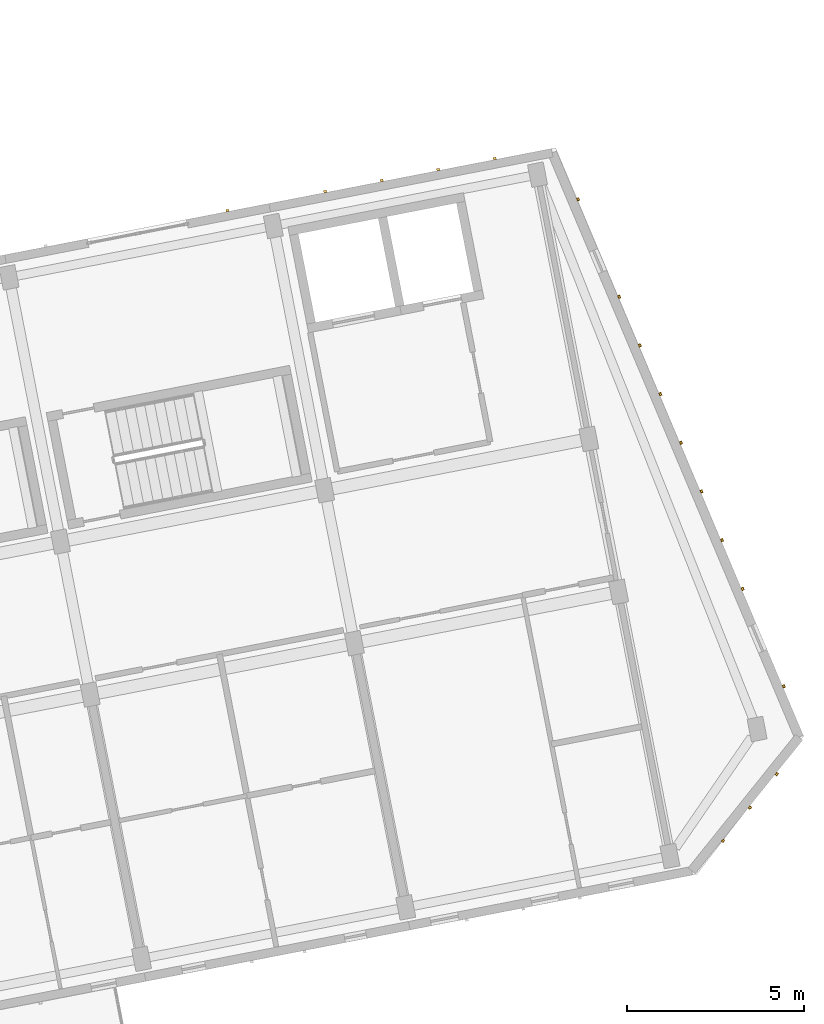
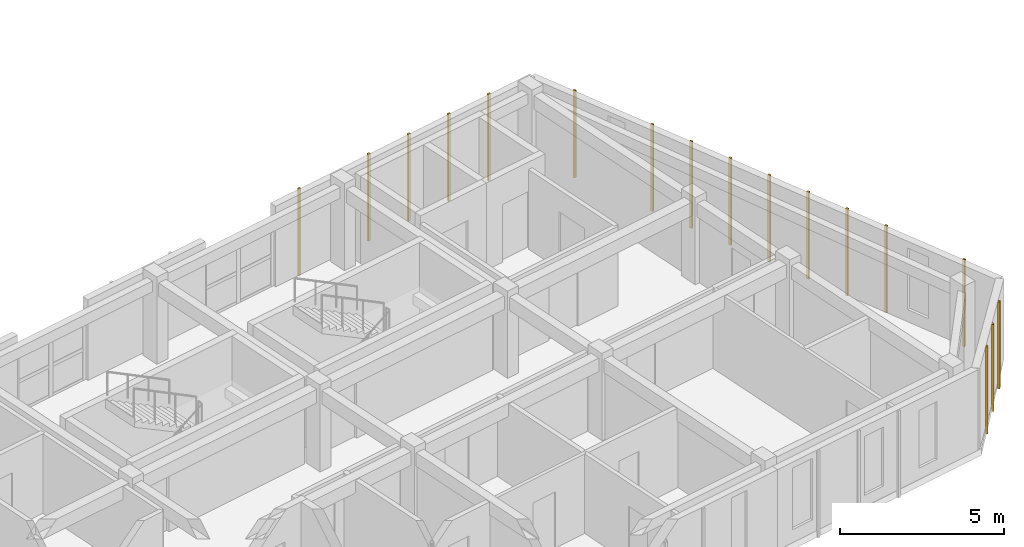
# One storey, part 60 of 64: 17 coverings.
"""IFC4 building model written with IfcOpenShell, lengths in metres."""

from ifc_helpers import new_model, si_unit, direction, frame, origin, origin_2d, place, context, subcontext, project, spatial, rectangle, extrude, material, layer, layer_set, type_object, element, save


model = new_model("IFC4")

# Units and contexts
model_context = context("Model", 3, precision=1e-05, world=origin(), true_north=direction((0.0, 1.0)))
body_context = subcontext(model_context, "Body", "Model", "MODEL_VIEW")
ifc_project = project(units=[si_unit("LENGTHUNIT", "METRE"), si_unit("AREAUNIT", "SQUARE_METRE"), si_unit("VOLUMEUNIT", "CUBIC_METRE"), si_unit("PLANEANGLEUNIT", "RADIAN"), si_unit("MASSUNIT", "GRAM", prefix="KILO")], contexts=[model_context])

# Site, building, storey
site_placement = place(None, origin())
site = spatial("IfcSite", under=ifc_project, at=site_placement, CompositionType="ELEMENT")
building_placement = place(site_placement, origin())
building = spatial("IfcBuilding", under=site, at=building_placement, Name="Kestramere Prow Commons", CompositionType="ELEMENT")
storey_placement = place(building_placement, frame((0.0, 0.0, 24.64990234375)))
storey = spatial("IfcBuildingStorey", under=building, at=storey_placement, Name="L07", CompositionType="ELEMENT", Elevation=24.64990234375)

# Coverings
ifc_material = material(Name="Weathered Zinc-Titanium Standing-Seam Cladding")
ifc_layer = layer(ifc_material, 0.074951171875)
ifc_layer_set = layer_set([ifc_layer], Name="Weathered Zinc-Titanium Standing-Seam Cladding")
covering_type = type_object("IfcCoveringType", Name="COV-CLAD-SEAM", PredefinedType="CLADDING", material=ifc_layer_set)
for number, where, z_axis, x_axis, name in (
    (1, (150.6669921875, 60.92919921875, -0.25), (0.0, 0.0, 1.0), (0.981627183448, 0.190808995377, 0.0), "EW-D-L07-NP-4-R Standing-Seam Rib 1"),
    (2, (153.427734375, 61.4658203125, -0.25), (0.0, 0.0, 1.0), (0.981627183448, 0.190808995377, 0.0), "EW-D-L07-N-5 Standing-Seam Rib 1"),
    (3, (155.02294921875, 61.77587890625, -0.25), (0.0, 0.0, 1.0), (0.981627183448, 0.190808995377, 0.0), "EW-D-L07-N-5 Standing-Seam Rib 2"),
    (4, (156.6181640625, 62.0859375, -0.25), (0.0, 0.0, 1.0), (0.981627183448, 0.190808995377, 0.0), "EW-D-L07-N-5 Standing-Seam Rib 3"),
    (5, (158.21337890625, 62.39599609375, -0.25), (0.0, 0.0, 1.0), (0.981627183448, 0.190808995377, 0.0), "EW-D-L07-N-5 Standing-Seam Rib 4"),
    (6, (160.568115234375, 61.24462890625, -0.25), (0.0, 0.0, 1.0), (0.389220414317, -0.92114465155, 0.0), "EW-D-L07-PRW-N Standing-Seam Rib 1"),
    (7, (161.72998046875, 58.4951171875, -0.25), (0.0, 0.0, 1.0), (0.389220414317, -0.92114465155, 0.0), "EW-D-L07-PRW-N Standing-Seam Rib 3"),
    (8, (162.310791015625, 57.1201171875, -0.25), (0.0, 0.0, 1.0), (0.389220414317, -0.92114465155, 0.0), "EW-D-L07-PRW-N Standing-Seam Rib 4"),
    (9, (162.891845703125, 55.745361328125, -0.25), (0.0, 0.0, 1.0), (0.389220414317, -0.92114465155, 0.0), "EW-D-L07-PRW-N Standing-Seam Rib 5"),
    (10, (163.47265625, 54.37060546875, -0.25), (0.0, 0.0, 1.0), (0.389220414317, -0.92114465155, 0.0), "EW-D-L07-PRW-N Standing-Seam Rib 6"),
    (11, (164.0537109375, 52.995849609375, -0.25), (0.0, 0.0, 1.0), (0.389220414317, -0.92114465155, 0.0), "EW-D-L07-PRW-N Standing-Seam Rib 7"),
    (12, (164.634521484375, 51.620849609375, -0.25), (0.0, 0.0, 1.0), (0.389220414317, -0.92114465155, 0.0), "EW-D-L07-PRW-N Standing-Seam Rib 8"),
    (13, (165.215576171875, 50.24609375, -0.25), (0.0, 0.0, 1.0), (0.389220414317, -0.92114465155, 0.0), "EW-D-L07-PRW-N Standing-Seam Rib 9"),
    (14, (166.37744140625, 47.496337890625, -0.25), (0.0, 0.0, 1.0), (0.389220414317, -0.92114465155, 0.0), "EW-D-L07-PRW-N Standing-Seam Rib 11"),
    (15, (166.177490234375, 45.013427734375, -0.25), (0.0, 0.0, 1.0), (-0.626297717754, -0.779583971575, 0.0), "EW-D-L07-PRW-S Standing-Seam Rib 1"),
    (16, (165.419921875, 44.0703125, -0.25), (0.0, 0.0, 1.0), (-0.626297717754, -0.779583971575, 0.0), "EW-D-L07-PRW-S Standing-Seam Rib 2"),
    (17, (164.662109375, 43.127197265625, -0.25), (0.0, 0.0, 1.0), (-0.626297717754, -0.779583971575, 0.0), "EW-D-L07-PRW-S Standing-Seam Rib 3"),
):
    element("IfcCovering", number, at=place(storey_placement, frame(where, z_axis=z_axis, x_axis=x_axis)), inside=storey, type_object=covering_type, Name=name, PredefinedType="CLADDING", context=body_context, shape_type="SweptSolid", body=[
        extrude(rectangle(XDim=0.0849609375, YDim=0.06494140625, at=origin_2d()), origin(), (0.0, 0.0, 1.0), 3.25),
    ])

save(model, "model.ifc")
